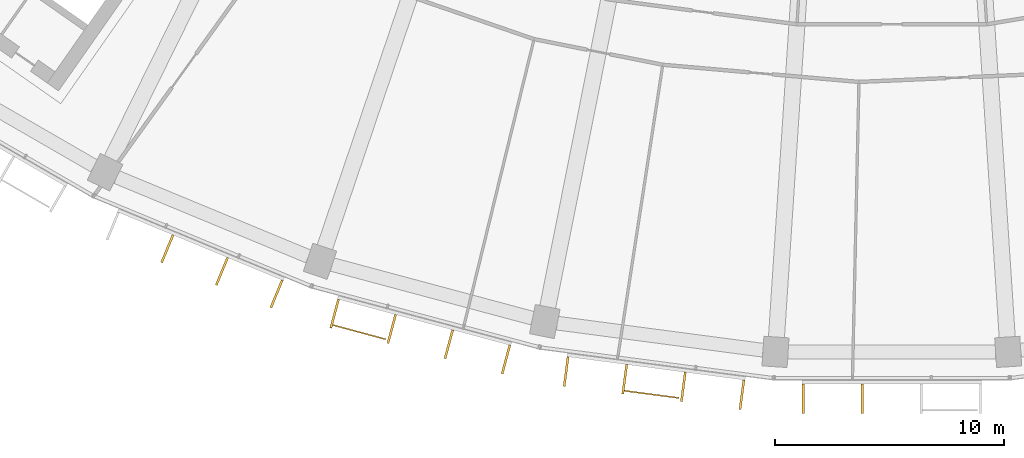
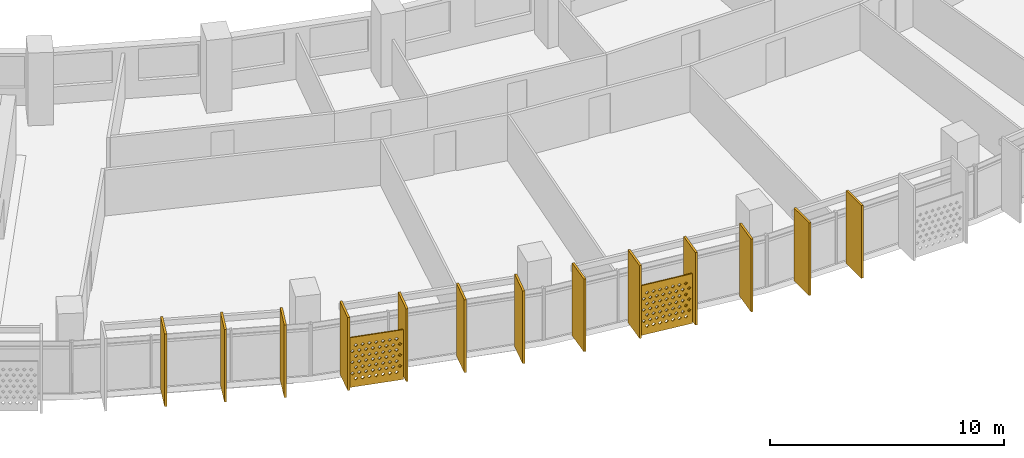
# One storey, part 23 of 27: 15 shading devices.
"""IFC4 building model written with IfcOpenShell, lengths in metres."""

from ifc_helpers import new_model, si_unit, direction, frame, origin, origin_2d, place, context, subcontext, project, spatial, polyline, rectangle, outline, extrude, material, material_profile, profile_set, type_object, element, save


model = new_model("IFC4")

# Units and contexts
model_context = context("Model", 3, precision=1e-05, world=origin(), true_north=direction((0.0, 1.0)))
body_context = subcontext(model_context, "Body", "Model", "MODEL_VIEW")
ifc_project = project(units=[si_unit("LENGTHUNIT", "METRE"), si_unit("AREAUNIT", "SQUARE_METRE"), si_unit("VOLUMEUNIT", "CUBIC_METRE"), si_unit("PLANEANGLEUNIT", "RADIAN"), si_unit("MASSUNIT", "GRAM", prefix="KILO")], contexts=[model_context])

# Site, building, storey
site_placement = place(None, origin())
site = spatial("IfcSite", under=ifc_project, at=site_placement, CompositionType="ELEMENT")
building_placement = place(site_placement, origin())
building = spatial("IfcBuilding", under=site, at=building_placement, Name="Qamariyya Broadcast Tower", CompositionType="ELEMENT")
storey_placement = place(building_placement, frame((0.0, 0.0, 194.89990234375)))
storey = spatial("IfcBuildingStorey", under=building, at=storey_placement, Name="L46", CompositionType="ELEMENT", Elevation=194.89990234375)

# Shading devices
ifc_material_1 = material(Name="Perforated glazed terracotta", Category="masonry")
ifc_material_profile_1 = material_profile(ifc_material_1, outline(polyline([(-1.199951171875, -1.300048828125), (1.199951171875, -1.300048828125), (1.199951171875, 1.300048828125), (-1.199951171875, 1.300048828125), (-1.199951171875, -1.300048828125)]), holes=[polyline([(-0.81494140625, -0.86669921875), (-0.89990234375, -0.78173828125), (-0.985107421875, -0.86669921875), (-0.89990234375, -0.95166015625), (-0.81494140625, -0.86669921875)]), polyline([(-0.514892578125, -0.86669921875), (-0.60009765625, -0.78173828125), (-0.68505859375, -0.86669921875), (-0.60009765625, -0.95166015625), (-0.514892578125, -0.86669921875)]), polyline([(-0.215087890625, -0.86669921875), (-0.300048828125, -0.78173828125), (-0.385009765625, -0.86669921875), (-0.300048828125, -0.95166015625), (-0.215087890625, -0.86669921875)]), polyline([(0.0849609375, -0.86669921875), (0.0, -0.78173828125), (-0.0849609375, -0.86669921875), (0.0, -0.95166015625), (0.0849609375, -0.86669921875)]), polyline([(0.385009765625, -0.86669921875), (0.300048828125, -0.78173828125), (0.215087890625, -0.86669921875), (0.300048828125, -0.95166015625), (0.385009765625, -0.86669921875)]), polyline([(0.68505859375, -0.86669921875), (0.60009765625, -0.78173828125), (0.514892578125, -0.86669921875), (0.60009765625, -0.95166015625), (0.68505859375, -0.86669921875)]), polyline([(0.985107421875, -0.86669921875), (0.89990234375, -0.78173828125), (0.81494140625, -0.86669921875), (0.89990234375, -0.95166015625), (0.985107421875, -0.86669921875)]), polyline([(-0.965087890625, -0.577880859375), (-1.050048828125, -0.49267578125), (-1.135009765625, -0.577880859375), (-1.050048828125, -0.662841796875), (-0.965087890625, -0.577880859375)]), polyline([(-0.6650390625, -0.577880859375), (-0.75, -0.49267578125), (-0.8349609375, -0.577880859375), (-0.75, -0.662841796875), (-0.6650390625, -0.577880859375)]), polyline([(-0.364990234375, -0.577880859375), (-0.449951171875, -0.49267578125), (-0.534912109375, -0.577880859375), (-0.449951171875, -0.662841796875), (-0.364990234375, -0.577880859375)]), polyline([(-0.06494140625, -0.577880859375), (-0.14990234375, -0.49267578125), (-0.235107421875, -0.577880859375), (-0.14990234375, -0.662841796875), (-0.06494140625, -0.577880859375)]), polyline([(0.235107421875, -0.577880859375), (0.14990234375, -0.49267578125), (0.06494140625, -0.577880859375), (0.14990234375, -0.662841796875), (0.235107421875, -0.577880859375)]), polyline([(0.534912109375, -0.577880859375), (0.449951171875, -0.49267578125), (0.364990234375, -0.577880859375), (0.449951171875, -0.662841796875), (0.534912109375, -0.577880859375)]), polyline([(0.8349609375, -0.577880859375), (0.75, -0.49267578125), (0.6650390625, -0.577880859375), (0.75, -0.662841796875), (0.8349609375, -0.577880859375)]), polyline([(1.135009765625, -0.577880859375), (1.050048828125, -0.49267578125), (0.965087890625, -0.577880859375), (1.050048828125, -0.662841796875), (1.135009765625, -0.577880859375)]), polyline([(-0.81494140625, -0.288818359375), (-0.89990234375, -0.203857421875), (-0.985107421875, -0.288818359375), (-0.89990234375, -0.373779296875), (-0.81494140625, -0.288818359375)]), polyline([(-0.514892578125, -0.288818359375), (-0.60009765625, -0.203857421875), (-0.68505859375, -0.288818359375), (-0.60009765625, -0.373779296875), (-0.514892578125, -0.288818359375)]), polyline([(-0.215087890625, -0.288818359375), (-0.300048828125, -0.203857421875), (-0.385009765625, -0.288818359375), (-0.300048828125, -0.373779296875), (-0.215087890625, -0.288818359375)]), polyline([(0.0849609375, -0.288818359375), (0.0, -0.203857421875), (-0.0849609375, -0.288818359375), (0.0, -0.373779296875), (0.0849609375, -0.288818359375)]), polyline([(0.385009765625, -0.288818359375), (0.300048828125, -0.203857421875), (0.215087890625, -0.288818359375), (0.300048828125, -0.373779296875), (0.385009765625, -0.288818359375)]), polyline([(0.68505859375, -0.288818359375), (0.60009765625, -0.203857421875), (0.514892578125, -0.288818359375), (0.60009765625, -0.373779296875), (0.68505859375, -0.288818359375)]), polyline([(0.985107421875, -0.288818359375), (0.89990234375, -0.203857421875), (0.81494140625, -0.288818359375), (0.89990234375, -0.373779296875), (0.985107421875, -0.288818359375)]), polyline([(-0.965087890625, 0.0), (-1.050048828125, 0.0849609375), (-1.135009765625, 0.0), (-1.050048828125, -0.0849609375), (-0.965087890625, 0.0)]), polyline([(-0.6650390625, 0.0), (-0.75, 0.0849609375), (-0.8349609375, 0.0), (-0.75, -0.0849609375), (-0.6650390625, 0.0)]), polyline([(-0.364990234375, 0.0), (-0.449951171875, 0.0849609375), (-0.534912109375, 0.0), (-0.449951171875, -0.0849609375), (-0.364990234375, 0.0)]), polyline([(-0.06494140625, 0.0), (-0.14990234375, 0.0849609375), (-0.235107421875, 0.0), (-0.14990234375, -0.0849609375), (-0.06494140625, 0.0)]), polyline([(0.235107421875, 0.0), (0.14990234375, 0.0849609375), (0.06494140625, 0.0), (0.14990234375, -0.0849609375), (0.235107421875, 0.0)]), polyline([(0.534912109375, 0.0), (0.449951171875, 0.0849609375), (0.364990234375, 0.0), (0.449951171875, -0.0849609375), (0.534912109375, 0.0)]), polyline([(0.8349609375, 0.0), (0.75, 0.0849609375), (0.6650390625, 0.0), (0.75, -0.0849609375), (0.8349609375, 0.0)]), polyline([(1.135009765625, 0.0), (1.050048828125, 0.0849609375), (0.965087890625, 0.0), (1.050048828125, -0.0849609375), (1.135009765625, 0.0)]), polyline([(-0.81494140625, 0.288818359375), (-0.89990234375, 0.373779296875), (-0.985107421875, 0.288818359375), (-0.89990234375, 0.203857421875), (-0.81494140625, 0.288818359375)]), polyline([(-0.514892578125, 0.288818359375), (-0.60009765625, 0.373779296875), (-0.68505859375, 0.288818359375), (-0.60009765625, 0.203857421875), (-0.514892578125, 0.288818359375)]), polyline([(-0.215087890625, 0.288818359375), (-0.300048828125, 0.373779296875), (-0.385009765625, 0.288818359375), (-0.300048828125, 0.203857421875), (-0.215087890625, 0.288818359375)]), polyline([(0.0849609375, 0.288818359375), (0.0, 0.373779296875), (-0.0849609375, 0.288818359375), (0.0, 0.203857421875), (0.0849609375, 0.288818359375)]), polyline([(0.385009765625, 0.288818359375), (0.300048828125, 0.373779296875), (0.215087890625, 0.288818359375), (0.300048828125, 0.203857421875), (0.385009765625, 0.288818359375)]), polyline([(0.68505859375, 0.288818359375), (0.60009765625, 0.373779296875), (0.514892578125, 0.288818359375), (0.60009765625, 0.203857421875), (0.68505859375, 0.288818359375)]), polyline([(0.985107421875, 0.288818359375), (0.89990234375, 0.373779296875), (0.81494140625, 0.288818359375), (0.89990234375, 0.203857421875), (0.985107421875, 0.288818359375)]), polyline([(-0.965087890625, 0.577880859375), (-1.050048828125, 0.662841796875), (-1.135009765625, 0.577880859375), (-1.050048828125, 0.49267578125), (-0.965087890625, 0.577880859375)]), polyline([(-0.6650390625, 0.577880859375), (-0.75, 0.662841796875), (-0.8349609375, 0.577880859375), (-0.75, 0.49267578125), (-0.6650390625, 0.577880859375)]), polyline([(-0.364990234375, 0.577880859375), (-0.449951171875, 0.662841796875), (-0.534912109375, 0.577880859375), (-0.449951171875, 0.49267578125), (-0.364990234375, 0.577880859375)]), polyline([(-0.06494140625, 0.577880859375), (-0.14990234375, 0.662841796875), (-0.235107421875, 0.577880859375), (-0.14990234375, 0.49267578125), (-0.06494140625, 0.577880859375)]), polyline([(0.235107421875, 0.577880859375), (0.14990234375, 0.662841796875), (0.06494140625, 0.577880859375), (0.14990234375, 0.49267578125), (0.235107421875, 0.577880859375)]), polyline([(0.534912109375, 0.577880859375), (0.449951171875, 0.662841796875), (0.364990234375, 0.577880859375), (0.449951171875, 0.49267578125), (0.534912109375, 0.577880859375)]), polyline([(0.8349609375, 0.577880859375), (0.75, 0.662841796875), (0.6650390625, 0.577880859375), (0.75, 0.49267578125), (0.8349609375, 0.577880859375)]), polyline([(1.135009765625, 0.577880859375), (1.050048828125, 0.662841796875), (0.965087890625, 0.577880859375), (1.050048828125, 0.49267578125), (1.135009765625, 0.577880859375)]), polyline([(-0.81494140625, 0.86669921875), (-0.89990234375, 0.95166015625), (-0.985107421875, 0.86669921875), (-0.89990234375, 0.78173828125), (-0.81494140625, 0.86669921875)]), polyline([(-0.514892578125, 0.86669921875), (-0.60009765625, 0.95166015625), (-0.68505859375, 0.86669921875), (-0.60009765625, 0.78173828125), (-0.514892578125, 0.86669921875)]), polyline([(-0.215087890625, 0.86669921875), (-0.300048828125, 0.95166015625), (-0.385009765625, 0.86669921875), (-0.300048828125, 0.78173828125), (-0.215087890625, 0.86669921875)]), polyline([(0.0849609375, 0.86669921875), (0.0, 0.95166015625), (-0.0849609375, 0.86669921875), (0.0, 0.78173828125), (0.0849609375, 0.86669921875)]), polyline([(0.385009765625, 0.86669921875), (0.300048828125, 0.95166015625), (0.215087890625, 0.86669921875), (0.300048828125, 0.78173828125), (0.385009765625, 0.86669921875)]), polyline([(0.68505859375, 0.86669921875), (0.60009765625, 0.95166015625), (0.514892578125, 0.86669921875), (0.60009765625, 0.78173828125), (0.68505859375, 0.86669921875)]), polyline([(0.985107421875, 0.86669921875), (0.89990234375, 0.95166015625), (0.81494140625, 0.86669921875), (0.89990234375, 0.78173828125), (0.985107421875, 0.86669921875)])]))
ifc_profile_set_1 = profile_set([ifc_material_profile_1], Name="Perforated glazed terracotta")
shading_device_type_1 = type_object("IfcShadingDeviceType", Name="Perforated terracotta screen 2400 x 2600", PredefinedType="USERDEFINED", material=ifc_profile_set_1)
shading_device_1_placement = place(storey_placement, frame((-23.267333984375, -76.692138671875, 1.35009765625), z_axis=(-0.260703819255, -0.965418830677, 0.0), x_axis=(0.965418830677, -0.260703819255, 0.0)))
element("IfcShadingDevice", 1, at=shading_device_1_placement, inside=storey, type_object=shading_device_type_1, Name="e-scr-L46-05-0", ObjectType="SCREEN", PredefinedType="USERDEFINED", context=body_context, shape_type="SweptSolid", body=[
    extrude(outline(polyline([(-1.199951171875, -1.300048828125), (1.199951171875, -1.300048828125), (1.199951171875, 1.300048828125), (-1.199951171875, 1.300048828125), (-1.199951171875, -1.300048828125)]), holes=[polyline([(-0.81494140625, -0.86669921875), (-0.89990234375, -0.78173828125), (-0.985107421875, -0.86669921875), (-0.89990234375, -0.95166015625), (-0.81494140625, -0.86669921875)]), polyline([(-0.514892578125, -0.86669921875), (-0.60009765625, -0.78173828125), (-0.68505859375, -0.86669921875), (-0.60009765625, -0.95166015625), (-0.514892578125, -0.86669921875)]), polyline([(-0.215087890625, -0.86669921875), (-0.300048828125, -0.78173828125), (-0.385009765625, -0.86669921875), (-0.300048828125, -0.95166015625), (-0.215087890625, -0.86669921875)]), polyline([(0.0849609375, -0.86669921875), (0.0, -0.78173828125), (-0.0849609375, -0.86669921875), (0.0, -0.95166015625), (0.0849609375, -0.86669921875)]), polyline([(0.385009765625, -0.86669921875), (0.300048828125, -0.78173828125), (0.215087890625, -0.86669921875), (0.300048828125, -0.95166015625), (0.385009765625, -0.86669921875)]), polyline([(0.68505859375, -0.86669921875), (0.60009765625, -0.78173828125), (0.514892578125, -0.86669921875), (0.60009765625, -0.95166015625), (0.68505859375, -0.86669921875)]), polyline([(0.985107421875, -0.86669921875), (0.89990234375, -0.78173828125), (0.81494140625, -0.86669921875), (0.89990234375, -0.95166015625), (0.985107421875, -0.86669921875)]), polyline([(-0.965087890625, -0.577880859375), (-1.050048828125, -0.49267578125), (-1.135009765625, -0.577880859375), (-1.050048828125, -0.662841796875), (-0.965087890625, -0.577880859375)]), polyline([(-0.6650390625, -0.577880859375), (-0.75, -0.49267578125), (-0.8349609375, -0.577880859375), (-0.75, -0.662841796875), (-0.6650390625, -0.577880859375)]), polyline([(-0.364990234375, -0.577880859375), (-0.449951171875, -0.49267578125), (-0.534912109375, -0.577880859375), (-0.449951171875, -0.662841796875), (-0.364990234375, -0.577880859375)]), polyline([(-0.06494140625, -0.577880859375), (-0.14990234375, -0.49267578125), (-0.235107421875, -0.577880859375), (-0.14990234375, -0.662841796875), (-0.06494140625, -0.577880859375)]), polyline([(0.235107421875, -0.577880859375), (0.14990234375, -0.49267578125), (0.06494140625, -0.577880859375), (0.14990234375, -0.662841796875), (0.235107421875, -0.577880859375)]), polyline([(0.534912109375, -0.577880859375), (0.449951171875, -0.49267578125), (0.364990234375, -0.577880859375), (0.449951171875, -0.662841796875), (0.534912109375, -0.577880859375)]), polyline([(0.8349609375, -0.577880859375), (0.75, -0.49267578125), (0.6650390625, -0.577880859375), (0.75, -0.662841796875), (0.8349609375, -0.577880859375)]), polyline([(1.135009765625, -0.577880859375), (1.050048828125, -0.49267578125), (0.965087890625, -0.577880859375), (1.050048828125, -0.662841796875), (1.135009765625, -0.577880859375)]), polyline([(-0.81494140625, -0.288818359375), (-0.89990234375, -0.203857421875), (-0.985107421875, -0.288818359375), (-0.89990234375, -0.373779296875), (-0.81494140625, -0.288818359375)]), polyline([(-0.514892578125, -0.288818359375), (-0.60009765625, -0.203857421875), (-0.68505859375, -0.288818359375), (-0.60009765625, -0.373779296875), (-0.514892578125, -0.288818359375)]), polyline([(-0.215087890625, -0.288818359375), (-0.300048828125, -0.203857421875), (-0.385009765625, -0.288818359375), (-0.300048828125, -0.373779296875), (-0.215087890625, -0.288818359375)]), polyline([(0.0849609375, -0.288818359375), (0.0, -0.203857421875), (-0.0849609375, -0.288818359375), (0.0, -0.373779296875), (0.0849609375, -0.288818359375)]), polyline([(0.385009765625, -0.288818359375), (0.300048828125, -0.203857421875), (0.215087890625, -0.288818359375), (0.300048828125, -0.373779296875), (0.385009765625, -0.288818359375)]), polyline([(0.68505859375, -0.288818359375), (0.60009765625, -0.203857421875), (0.514892578125, -0.288818359375), (0.60009765625, -0.373779296875), (0.68505859375, -0.288818359375)]), polyline([(0.985107421875, -0.288818359375), (0.89990234375, -0.203857421875), (0.81494140625, -0.288818359375), (0.89990234375, -0.373779296875), (0.985107421875, -0.288818359375)]), polyline([(-0.965087890625, 0.0), (-1.050048828125, 0.0849609375), (-1.135009765625, 0.0), (-1.050048828125, -0.0849609375), (-0.965087890625, 0.0)]), polyline([(-0.6650390625, 0.0), (-0.75, 0.0849609375), (-0.8349609375, 0.0), (-0.75, -0.0849609375), (-0.6650390625, 0.0)]), polyline([(-0.364990234375, 0.0), (-0.449951171875, 0.0849609375), (-0.534912109375, 0.0), (-0.449951171875, -0.0849609375), (-0.364990234375, 0.0)]), polyline([(-0.06494140625, 0.0), (-0.14990234375, 0.0849609375), (-0.235107421875, 0.0), (-0.14990234375, -0.0849609375), (-0.06494140625, 0.0)]), polyline([(0.235107421875, 0.0), (0.14990234375, 0.0849609375), (0.06494140625, 0.0), (0.14990234375, -0.0849609375), (0.235107421875, 0.0)]), polyline([(0.534912109375, 0.0), (0.449951171875, 0.0849609375), (0.364990234375, 0.0), (0.449951171875, -0.0849609375), (0.534912109375, 0.0)]), polyline([(0.8349609375, 0.0), (0.75, 0.0849609375), (0.6650390625, 0.0), (0.75, -0.0849609375), (0.8349609375, 0.0)]), polyline([(1.135009765625, 0.0), (1.050048828125, 0.0849609375), (0.965087890625, 0.0), (1.050048828125, -0.0849609375), (1.135009765625, 0.0)]), polyline([(-0.81494140625, 0.288818359375), (-0.89990234375, 0.373779296875), (-0.985107421875, 0.288818359375), (-0.89990234375, 0.203857421875), (-0.81494140625, 0.288818359375)]), polyline([(-0.514892578125, 0.288818359375), (-0.60009765625, 0.373779296875), (-0.68505859375, 0.288818359375), (-0.60009765625, 0.203857421875), (-0.514892578125, 0.288818359375)]), polyline([(-0.215087890625, 0.288818359375), (-0.300048828125, 0.373779296875), (-0.385009765625, 0.288818359375), (-0.300048828125, 0.203857421875), (-0.215087890625, 0.288818359375)]), polyline([(0.0849609375, 0.288818359375), (0.0, 0.373779296875), (-0.0849609375, 0.288818359375), (0.0, 0.203857421875), (0.0849609375, 0.288818359375)]), polyline([(0.385009765625, 0.288818359375), (0.300048828125, 0.373779296875), (0.215087890625, 0.288818359375), (0.300048828125, 0.203857421875), (0.385009765625, 0.288818359375)]), polyline([(0.68505859375, 0.288818359375), (0.60009765625, 0.373779296875), (0.514892578125, 0.288818359375), (0.60009765625, 0.203857421875), (0.68505859375, 0.288818359375)]), polyline([(0.985107421875, 0.288818359375), (0.89990234375, 0.373779296875), (0.81494140625, 0.288818359375), (0.89990234375, 0.203857421875), (0.985107421875, 0.288818359375)]), polyline([(-0.965087890625, 0.577880859375), (-1.050048828125, 0.662841796875), (-1.135009765625, 0.577880859375), (-1.050048828125, 0.49267578125), (-0.965087890625, 0.577880859375)]), polyline([(-0.6650390625, 0.577880859375), (-0.75, 0.662841796875), (-0.8349609375, 0.577880859375), (-0.75, 0.49267578125), (-0.6650390625, 0.577880859375)]), polyline([(-0.364990234375, 0.577880859375), (-0.449951171875, 0.662841796875), (-0.534912109375, 0.577880859375), (-0.449951171875, 0.49267578125), (-0.364990234375, 0.577880859375)]), polyline([(-0.06494140625, 0.577880859375), (-0.14990234375, 0.662841796875), (-0.235107421875, 0.577880859375), (-0.14990234375, 0.49267578125), (-0.06494140625, 0.577880859375)]), polyline([(0.235107421875, 0.577880859375), (0.14990234375, 0.662841796875), (0.06494140625, 0.577880859375), (0.14990234375, 0.49267578125), (0.235107421875, 0.577880859375)]), polyline([(0.534912109375, 0.577880859375), (0.449951171875, 0.662841796875), (0.364990234375, 0.577880859375), (0.449951171875, 0.49267578125), (0.534912109375, 0.577880859375)]), polyline([(0.8349609375, 0.577880859375), (0.75, 0.662841796875), (0.6650390625, 0.577880859375), (0.75, 0.49267578125), (0.8349609375, 0.577880859375)]), polyline([(1.135009765625, 0.577880859375), (1.050048828125, 0.662841796875), (0.965087890625, 0.577880859375), (1.050048828125, 0.49267578125), (1.135009765625, 0.577880859375)]), polyline([(-0.81494140625, 0.86669921875), (-0.89990234375, 0.95166015625), (-0.985107421875, 0.86669921875), (-0.89990234375, 0.78173828125), (-0.81494140625, 0.86669921875)]), polyline([(-0.514892578125, 0.86669921875), (-0.60009765625, 0.95166015625), (-0.68505859375, 0.86669921875), (-0.60009765625, 0.78173828125), (-0.514892578125, 0.86669921875)]), polyline([(-0.215087890625, 0.86669921875), (-0.300048828125, 0.95166015625), (-0.385009765625, 0.86669921875), (-0.300048828125, 0.78173828125), (-0.215087890625, 0.86669921875)]), polyline([(0.0849609375, 0.86669921875), (0.0, 0.95166015625), (-0.0849609375, 0.86669921875), (0.0, 0.78173828125), (0.0849609375, 0.86669921875)]), polyline([(0.385009765625, 0.86669921875), (0.300048828125, 0.95166015625), (0.215087890625, 0.86669921875), (0.300048828125, 0.78173828125), (0.385009765625, 0.86669921875)]), polyline([(0.68505859375, 0.86669921875), (0.60009765625, 0.95166015625), (0.514892578125, 0.86669921875), (0.60009765625, 0.78173828125), (0.68505859375, 0.86669921875)]), polyline([(0.985107421875, 0.86669921875), (0.89990234375, 0.95166015625), (0.81494140625, 0.86669921875), (0.89990234375, 0.78173828125), (0.985107421875, 0.86669921875)])]), origin(), (0.0, 0.0, 1.0), 0.059814453125),
])
shading_device_2_placement = place(storey_placement, frame((-10.49658203125, -79.41015625, 1.35009765625), z_axis=(-0.1300340368, -0.991509530601, 0.0), x_axis=(0.991509530601, -0.1300340368, 0.0)))
element("IfcShadingDevice", 2, at=shading_device_2_placement, inside=storey, type_object=shading_device_type_1, Name="e-scr-L46-06-1", ObjectType="SCREEN", PredefinedType="USERDEFINED", context=body_context, shape_type="SweptSolid", body=[
    extrude(outline(polyline([(-1.199951171875, -1.300048828125), (1.199951171875, -1.300048828125), (1.199951171875, 1.300048828125), (-1.199951171875, 1.300048828125), (-1.199951171875, -1.300048828125)]), holes=[polyline([(-0.81494140625, -0.86669921875), (-0.89990234375, -0.78173828125), (-0.985107421875, -0.86669921875), (-0.89990234375, -0.95166015625), (-0.81494140625, -0.86669921875)]), polyline([(-0.514892578125, -0.86669921875), (-0.60009765625, -0.78173828125), (-0.68505859375, -0.86669921875), (-0.60009765625, -0.95166015625), (-0.514892578125, -0.86669921875)]), polyline([(-0.215087890625, -0.86669921875), (-0.300048828125, -0.78173828125), (-0.385009765625, -0.86669921875), (-0.300048828125, -0.95166015625), (-0.215087890625, -0.86669921875)]), polyline([(0.0849609375, -0.86669921875), (0.0, -0.78173828125), (-0.0849609375, -0.86669921875), (0.0, -0.95166015625), (0.0849609375, -0.86669921875)]), polyline([(0.385009765625, -0.86669921875), (0.300048828125, -0.78173828125), (0.215087890625, -0.86669921875), (0.300048828125, -0.95166015625), (0.385009765625, -0.86669921875)]), polyline([(0.68505859375, -0.86669921875), (0.60009765625, -0.78173828125), (0.514892578125, -0.86669921875), (0.60009765625, -0.95166015625), (0.68505859375, -0.86669921875)]), polyline([(0.985107421875, -0.86669921875), (0.89990234375, -0.78173828125), (0.81494140625, -0.86669921875), (0.89990234375, -0.95166015625), (0.985107421875, -0.86669921875)]), polyline([(-0.965087890625, -0.577880859375), (-1.050048828125, -0.49267578125), (-1.135009765625, -0.577880859375), (-1.050048828125, -0.662841796875), (-0.965087890625, -0.577880859375)]), polyline([(-0.6650390625, -0.577880859375), (-0.75, -0.49267578125), (-0.8349609375, -0.577880859375), (-0.75, -0.662841796875), (-0.6650390625, -0.577880859375)]), polyline([(-0.364990234375, -0.577880859375), (-0.449951171875, -0.49267578125), (-0.534912109375, -0.577880859375), (-0.449951171875, -0.662841796875), (-0.364990234375, -0.577880859375)]), polyline([(-0.06494140625, -0.577880859375), (-0.14990234375, -0.49267578125), (-0.235107421875, -0.577880859375), (-0.14990234375, -0.662841796875), (-0.06494140625, -0.577880859375)]), polyline([(0.235107421875, -0.577880859375), (0.14990234375, -0.49267578125), (0.06494140625, -0.577880859375), (0.14990234375, -0.662841796875), (0.235107421875, -0.577880859375)]), polyline([(0.534912109375, -0.577880859375), (0.449951171875, -0.49267578125), (0.364990234375, -0.577880859375), (0.449951171875, -0.662841796875), (0.534912109375, -0.577880859375)]), polyline([(0.8349609375, -0.577880859375), (0.75, -0.49267578125), (0.6650390625, -0.577880859375), (0.75, -0.662841796875), (0.8349609375, -0.577880859375)]), polyline([(1.135009765625, -0.577880859375), (1.050048828125, -0.49267578125), (0.965087890625, -0.577880859375), (1.050048828125, -0.662841796875), (1.135009765625, -0.577880859375)]), polyline([(-0.81494140625, -0.288818359375), (-0.89990234375, -0.203857421875), (-0.985107421875, -0.288818359375), (-0.89990234375, -0.373779296875), (-0.81494140625, -0.288818359375)]), polyline([(-0.514892578125, -0.288818359375), (-0.60009765625, -0.203857421875), (-0.68505859375, -0.288818359375), (-0.60009765625, -0.373779296875), (-0.514892578125, -0.288818359375)]), polyline([(-0.215087890625, -0.288818359375), (-0.300048828125, -0.203857421875), (-0.385009765625, -0.288818359375), (-0.300048828125, -0.373779296875), (-0.215087890625, -0.288818359375)]), polyline([(0.0849609375, -0.288818359375), (0.0, -0.203857421875), (-0.0849609375, -0.288818359375), (0.0, -0.373779296875), (0.0849609375, -0.288818359375)]), polyline([(0.385009765625, -0.288818359375), (0.300048828125, -0.203857421875), (0.215087890625, -0.288818359375), (0.300048828125, -0.373779296875), (0.385009765625, -0.288818359375)]), polyline([(0.68505859375, -0.288818359375), (0.60009765625, -0.203857421875), (0.514892578125, -0.288818359375), (0.60009765625, -0.373779296875), (0.68505859375, -0.288818359375)]), polyline([(0.985107421875, -0.288818359375), (0.89990234375, -0.203857421875), (0.81494140625, -0.288818359375), (0.89990234375, -0.373779296875), (0.985107421875, -0.288818359375)]), polyline([(-0.965087890625, 0.0), (-1.050048828125, 0.0849609375), (-1.135009765625, 0.0), (-1.050048828125, -0.0849609375), (-0.965087890625, 0.0)]), polyline([(-0.6650390625, 0.0), (-0.75, 0.0849609375), (-0.8349609375, 0.0), (-0.75, -0.0849609375), (-0.6650390625, 0.0)]), polyline([(-0.364990234375, 0.0), (-0.449951171875, 0.0849609375), (-0.534912109375, 0.0), (-0.449951171875, -0.0849609375), (-0.364990234375, 0.0)]), polyline([(-0.06494140625, 0.0), (-0.14990234375, 0.0849609375), (-0.235107421875, 0.0), (-0.14990234375, -0.0849609375), (-0.06494140625, 0.0)]), polyline([(0.235107421875, 0.0), (0.14990234375, 0.0849609375), (0.06494140625, 0.0), (0.14990234375, -0.0849609375), (0.235107421875, 0.0)]), polyline([(0.534912109375, 0.0), (0.449951171875, 0.0849609375), (0.364990234375, 0.0), (0.449951171875, -0.0849609375), (0.534912109375, 0.0)]), polyline([(0.8349609375, 0.0), (0.75, 0.0849609375), (0.6650390625, 0.0), (0.75, -0.0849609375), (0.8349609375, 0.0)]), polyline([(1.135009765625, 0.0), (1.050048828125, 0.0849609375), (0.965087890625, 0.0), (1.050048828125, -0.0849609375), (1.135009765625, 0.0)]), polyline([(-0.81494140625, 0.288818359375), (-0.89990234375, 0.373779296875), (-0.985107421875, 0.288818359375), (-0.89990234375, 0.203857421875), (-0.81494140625, 0.288818359375)]), polyline([(-0.514892578125, 0.288818359375), (-0.60009765625, 0.373779296875), (-0.68505859375, 0.288818359375), (-0.60009765625, 0.203857421875), (-0.514892578125, 0.288818359375)]), polyline([(-0.215087890625, 0.288818359375), (-0.300048828125, 0.373779296875), (-0.385009765625, 0.288818359375), (-0.300048828125, 0.203857421875), (-0.215087890625, 0.288818359375)]), polyline([(0.0849609375, 0.288818359375), (0.0, 0.373779296875), (-0.0849609375, 0.288818359375), (0.0, 0.203857421875), (0.0849609375, 0.288818359375)]), polyline([(0.385009765625, 0.288818359375), (0.300048828125, 0.373779296875), (0.215087890625, 0.288818359375), (0.300048828125, 0.203857421875), (0.385009765625, 0.288818359375)]), polyline([(0.68505859375, 0.288818359375), (0.60009765625, 0.373779296875), (0.514892578125, 0.288818359375), (0.60009765625, 0.203857421875), (0.68505859375, 0.288818359375)]), polyline([(0.985107421875, 0.288818359375), (0.89990234375, 0.373779296875), (0.81494140625, 0.288818359375), (0.89990234375, 0.203857421875), (0.985107421875, 0.288818359375)]), polyline([(-0.965087890625, 0.577880859375), (-1.050048828125, 0.662841796875), (-1.135009765625, 0.577880859375), (-1.050048828125, 0.49267578125), (-0.965087890625, 0.577880859375)]), polyline([(-0.6650390625, 0.577880859375), (-0.75, 0.662841796875), (-0.8349609375, 0.577880859375), (-0.75, 0.49267578125), (-0.6650390625, 0.577880859375)]), polyline([(-0.364990234375, 0.577880859375), (-0.449951171875, 0.662841796875), (-0.534912109375, 0.577880859375), (-0.449951171875, 0.49267578125), (-0.364990234375, 0.577880859375)]), polyline([(-0.06494140625, 0.577880859375), (-0.14990234375, 0.662841796875), (-0.235107421875, 0.577880859375), (-0.14990234375, 0.49267578125), (-0.06494140625, 0.577880859375)]), polyline([(0.235107421875, 0.577880859375), (0.14990234375, 0.662841796875), (0.06494140625, 0.577880859375), (0.14990234375, 0.49267578125), (0.235107421875, 0.577880859375)]), polyline([(0.534912109375, 0.577880859375), (0.449951171875, 0.662841796875), (0.364990234375, 0.577880859375), (0.449951171875, 0.49267578125), (0.534912109375, 0.577880859375)]), polyline([(0.8349609375, 0.577880859375), (0.75, 0.662841796875), (0.6650390625, 0.577880859375), (0.75, 0.49267578125), (0.8349609375, 0.577880859375)]), polyline([(1.135009765625, 0.577880859375), (1.050048828125, 0.662841796875), (0.965087890625, 0.577880859375), (1.050048828125, 0.49267578125), (1.135009765625, 0.577880859375)]), polyline([(-0.81494140625, 0.86669921875), (-0.89990234375, 0.95166015625), (-0.985107421875, 0.86669921875), (-0.89990234375, 0.78173828125), (-0.81494140625, 0.86669921875)]), polyline([(-0.514892578125, 0.86669921875), (-0.60009765625, 0.95166015625), (-0.68505859375, 0.86669921875), (-0.60009765625, 0.78173828125), (-0.514892578125, 0.86669921875)]), polyline([(-0.215087890625, 0.86669921875), (-0.300048828125, 0.95166015625), (-0.385009765625, 0.86669921875), (-0.300048828125, 0.78173828125), (-0.215087890625, 0.86669921875)]), polyline([(0.0849609375, 0.86669921875), (0.0, 0.95166015625), (-0.0849609375, 0.86669921875), (0.0, 0.78173828125), (0.0849609375, 0.86669921875)]), polyline([(0.385009765625, 0.86669921875), (0.300048828125, 0.95166015625), (0.215087890625, 0.86669921875), (0.300048828125, 0.78173828125), (0.385009765625, 0.86669921875)]), polyline([(0.68505859375, 0.86669921875), (0.60009765625, 0.95166015625), (0.514892578125, 0.86669921875), (0.60009765625, 0.78173828125), (0.68505859375, 0.86669921875)]), polyline([(0.985107421875, 0.86669921875), (0.89990234375, 0.95166015625), (0.81494140625, 0.86669921875), (0.89990234375, 0.78173828125), (0.985107421875, 0.86669921875)])]), origin(), (0.0, 0.0, 1.0), 0.06005859375),
])
ifc_material_2 = material(Name="Glazed terracotta", Category="masonry")
ifc_material_profile_2 = material_profile(ifc_material_2, rectangle(XDim=1.300048828125, YDim=0.10009765625, at=origin_2d()))
ifc_profile_set_2 = profile_set([ifc_material_profile_2], Name="Glazed terracotta")
shading_device_type_2 = type_object("IfcShadingDeviceType", Name="Terracotta fin 100 x 1300", PredefinedType="USERDEFINED", material=ifc_profile_set_2)
for number, where, z_axis, x_axis, name in (
    (3, (-31.666748046875, -73.074951171875, 0.0), (0.0, 0.0, 1.0), (-0.382683432365, -0.923879532511, 0.0), "e-fin-L46-04-1"),
    (4, (-29.280029296875, -74.063720703125, 0.0), (0.0, 0.0, 1.0), (-0.382683432365, -0.923879532511, 0.0), "e-fin-L46-04-2"),
    (5, (-26.893310546875, -75.05224609375, 0.0), (0.0, 0.0, 1.0), (-0.382683432365, -0.923879532511, 0.0), "e-fin-L46-04-3"),
    (6, (-24.35302734375, -75.91455078125, 0.0), (0.0, 0.0, 1.0), (-0.258819045103, -0.965925826289, 0.0), "e-fin-L46-05-0"),
    (7, (-21.857666015625, -76.583251953125, 0.0), (0.0, 0.0, 1.0), (-0.258819045103, -0.965925826289, 0.0), "e-fin-L46-05-1"),
    (8, (-19.3623046875, -77.251708984375, 0.0), (0.0, 0.0, 1.0), (-0.258819045103, -0.965925826289, 0.0), "e-fin-L46-05-2"),
    (9, (-16.866943359375, -77.92041015625, 0.0), (0.0, 0.0, 1.0), (-0.258819045103, -0.965925826289, 0.0), "e-fin-L46-05-3"),
    (10, (-14.23583984375, -78.44384765625, 0.0), (0.0, 0.0, 1.0), (-0.13052619222, -0.991444861374, 0.0), "e-fin-L46-06-0"),
    (11, (-11.674560546875, -78.781005859375, 0.0), (0.0, 0.0, 1.0), (-0.13052619222, -0.991444861374, 0.0), "e-fin-L46-06-1"),
    (12, (-9.11328125, -79.1181640625, 0.0), (0.0, 0.0, 1.0), (-0.13052619222, -0.991444861374, 0.0), "e-fin-L46-06-2"),
    (13, (-6.552001953125, -79.455322265625, 0.0), (0.0, 0.0, 1.0), (-0.13052619222, -0.991444861374, 0.0), "e-fin-L46-06-3"),
    (14, (-3.875244140625, -79.630859375, 0.0), (0.0, 0.0, 1.0), (0.0, -1.0, 0.0), "e-fin-L46-07-0"),
    (15, (-1.291748046875, -79.630859375, 0.0), (0.0, 0.0, 1.0), (0.0, -1.0, 0.0), "e-fin-L46-07-1"),
):
    element("IfcShadingDevice", number, at=place(storey_placement, frame(where, z_axis=z_axis, x_axis=x_axis)), inside=storey, type_object=shading_device_type_2, Name=name, ObjectType="FIN", PredefinedType="USERDEFINED", context=body_context, shape_type="SweptSolid", body=[
        extrude(rectangle(XDim=1.300048828125, YDim=0.10009765625, at=origin_2d()), origin(), (0.0, 0.0, 1.0), 3.800048828125),
    ])

save(model, "model.ifc")
